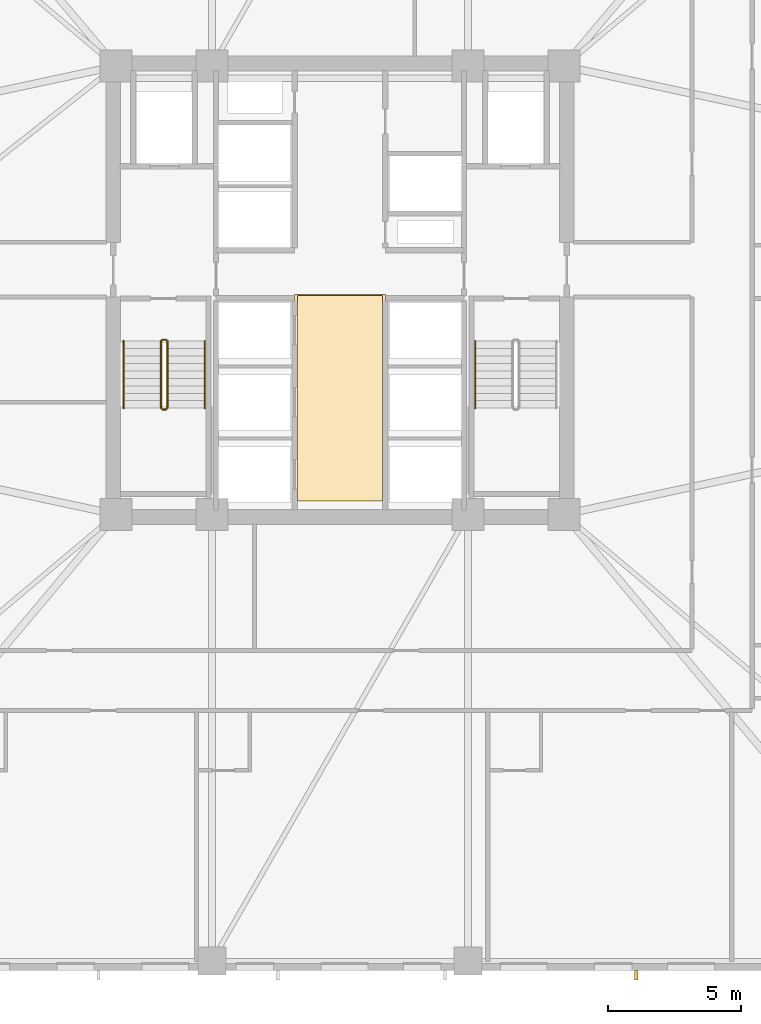
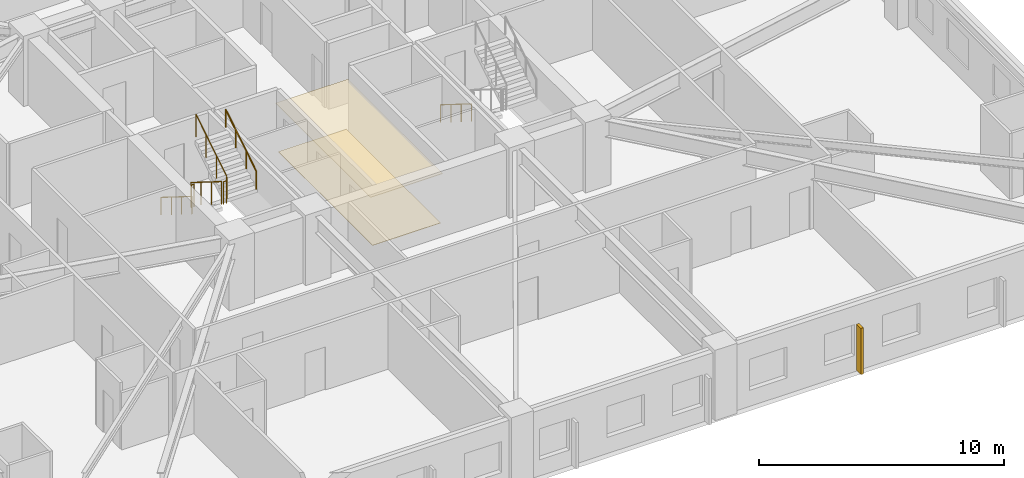
# One storey, part 9 of 12: 7 railings, 2 coverings, 1 shading device.
"""IFC4 building model written with IfcOpenShell, lengths in metres."""

from ifc_helpers import new_model, si_unit, direction, frame, origin, origin_2d, place, context, subcontext, project, spatial, polyline, rectangle, circle, outline, extrude, material, layer, layer_set, type_object, element, save


model = new_model("IFC4")

# Units and contexts
model_context = context("Model", 3, precision=1e-05, world=origin(), true_north=direction((0.0, 1.0)))
body_context = subcontext(model_context, "Body", "Model", "MODEL_VIEW")
ifc_project = project(units=[si_unit("LENGTHUNIT", "METRE"), si_unit("AREAUNIT", "SQUARE_METRE"), si_unit("VOLUMEUNIT", "CUBIC_METRE"), si_unit("PLANEANGLEUNIT", "RADIAN"), si_unit("MASSUNIT", "GRAM", prefix="KILO")], contexts=[model_context])

# Site, building, storey
site_placement = place(None, origin())
site = spatial("IfcSite", under=ifc_project, at=site_placement, CompositionType="ELEMENT")
building_placement = place(site_placement, origin())
building = spatial("IfcBuilding", under=site, at=building_placement, Name="Cairnveth Concourse Tower", CompositionType="ELEMENT")
storey_placement = place(building_placement, frame((0.0, 0.0, 83.0)))
storey = spatial("IfcBuildingStorey", under=building, at=storey_placement, Name="L22", CompositionType="ELEMENT", Elevation=83.0)

# Covering
ifc_material_1 = material(Name="Acoustic Mineral Fibre Ceiling", Category="gypsum")
ifc_layer_1 = layer(ifc_material_1, 0.02490234375)
ifc_layer_set_1 = layer_set([ifc_layer_1], Name="Acoustic Mineral Fibre Ceiling")
covering_type_1 = type_object("IfcCoveringType", Name="ACOUSTIC MINERAL FIBRE CEILING 25", PredefinedType="CEILING", material=ifc_layer_set_1)
covering_1_placement = place(storey_placement, frame((0.0, 0.0, 2.424072265625)))
element("IfcCovering", 1, at=covering_1_placement, inside=storey, type_object=covering_type_1, Name="Lift Lobby Acoustic Ceiling L22", PredefinedType="CEILING", context=body_context, shape_type="SweptSolid", body=[
    extrude(outline(polyline([(50.300048828125, 31.10009765625), (53.699951171875, 31.10009765625), (53.699951171875, 38.85009765625), (50.300048828125, 38.85009765625), (50.300048828125, 31.10009765625)])), origin(), (0.0, 0.0, 1.0), 0.02490234375),
])

# Shading device
ifc_material_2 = material(Name="Architectural Bronze Anodised Aluminium 6063-T6", Category="aluminium")
shading_device_type = type_object("IfcShadingDeviceType", Name="GOTHIC BRONZE VERTICAL LANCET FIN", PredefinedType="USERDEFINED", material=ifc_material_2)
shading_device_placement = place(storey_placement, frame((63.109619140625, 13.324951171875, 0.02978515625), z_axis=(0.0, 0.0, 1.0), x_axis=(1.0, 0.0, 0.0)))
element("IfcShadingDevice", 2, at=shading_device_placement, inside=storey, type_object=shading_device_type, Name="Gothic Bronze Vertical Fin L22-3-3", ObjectType="VERTICAL FIN", PredefinedType="USERDEFINED", context=body_context, shape_type="SweptSolid", body=[
    extrude(rectangle(XDim=0.1201171875, YDim=0.360107421875, at=origin_2d()), origin(), (0.0, 0.0, 1.0), 2.303955078125),
])

# Railings
ifc_material_3 = material(Name="Steel Grade 350", Category="steel")
railing_type_1 = type_object("IfcRailingType", Name="STAIR GUARDRAIL 1150", PredefinedType="GUARDRAIL", material=ifc_material_3)
railing_1_placement = place(storey_placement, frame((45.2900390625, 37.10009765625, 0.175048828125)))
element("IfcRailing", 3, at=railing_1_placement, inside=storey, type_object=railing_type_1, Name="L22 ST-1 stair guard 1", PredefinedType="GUARDRAIL", context=body_context, shape_type="SweptSolid", body=[
    extrude(circle(Radius=0.02392578125, at=origin_2d()), frame((0.0, 0.0, 1.1259765625), z_axis=(0.0, -0.848007534815, 0.529984170421), x_axis=(1.0, 0.0, 0.0)), (0.0, 0.0, 1.0), 2.9716796875),
    extrude(circle(Radius=0.02099609375, at=origin_2d()), origin(), (0.0, 0.0, 1.0), 1.101806640625),
    extrude(circle(Radius=0.02099609375, at=origin_2d()), frame((0.0, -0.840087890625, 0.52490234375)), (0.0, 0.0, 1.0), 1.101806640625),
    extrude(circle(Radius=0.02099609375, at=origin_2d()), frame((0.0, -1.679931640625, 1.050048828125)), (0.0, 0.0, 1.0), 1.101806640625),
    extrude(circle(Radius=0.02099609375, at=origin_2d()), frame((0.0, -2.52001953125, 1.574951171875)), (0.0, 0.0, 1.0), 1.101806640625),
])
railing_2_placement = place(storey_placement, frame((45.340087890625, 34.530029296875, 1.75)))
element("IfcRailing", 4, at=railing_2_placement, inside=storey, type_object=railing_type_1, Name="L22 ST-1 stair guard 2", PredefinedType="GUARDRAIL", context=body_context, shape_type="SweptSolid", body=[
    extrude(circle(Radius=0.02392578125, at=origin_2d()), frame((0.0, 0.0, 1.1259765625), z_axis=(1.0, 0.0, 0.0), x_axis=(0.0, 1.0, 0.0)), (0.0, 0.0, 1.0), 0.139892578125),
    extrude(circle(Radius=0.02099609375, at=origin_2d()), origin(), (0.0, 0.0, 1.0), 1.101806640625),
    extrude(circle(Radius=0.02099609375, at=origin_2d()), frame((0.139892578125, 0.0, 0.0)), (0.0, 0.0, 1.0), 1.101806640625),
])
railing_3_placement = place(storey_placement, frame((45.530029296875, 34.580078125, 1.925048828125)))
element("IfcRailing", 5, at=railing_3_placement, inside=storey, type_object=railing_type_1, Name="L22 ST-1 stair guard 3", PredefinedType="GUARDRAIL", context=body_context, shape_type="SweptSolid", body=[
    extrude(circle(Radius=0.02392578125, at=origin_2d()), frame((0.0, 0.0, 1.1259765625), z_axis=(0.0, 0.848007534815, 0.529984170421), x_axis=(-1.0, 0.0, 0.0)), (0.0, 0.0, 1.0), 2.9716796875),
    extrude(circle(Radius=0.02099609375, at=origin_2d()), origin(), (0.0, 0.0, 1.0), 1.101806640625),
    extrude(circle(Radius=0.02099609375, at=origin_2d()), frame((0.0, 0.840087890625, 0.52490234375)), (0.0, 0.0, 1.0), 1.101806640625),
    extrude(circle(Radius=0.02099609375, at=origin_2d()), frame((0.0, 1.679931640625, 1.050048828125)), (0.0, 0.0, 1.0), 1.101806640625),
    extrude(circle(Radius=0.02099609375, at=origin_2d()), frame((0.0, 2.52001953125, 1.574951171875)), (0.0, 0.0, 1.0), 1.101806640625),
])
railing_4_placement = place(storey_placement, frame((45.340087890625, 37.14990234375, 0.0)))
element("IfcRailing", 6, at=railing_4_placement, inside=storey, type_object=railing_type_1, Name="L22 ST-1 stair guard 4", PredefinedType="GUARDRAIL", context=body_context, shape_type="SweptSolid", body=[
    extrude(circle(Radius=0.02392578125, at=origin_2d()), frame((0.0, 0.0, 1.1259765625), z_axis=(1.0, 0.0, 0.0), x_axis=(0.0, 1.0, 0.0)), (0.0, 0.0, 1.0), 0.139892578125),
    extrude(circle(Radius=0.02099609375, at=origin_2d()), origin(), (0.0, 0.0, 1.0), 1.101806640625),
    extrude(circle(Radius=0.02099609375, at=origin_2d()), frame((0.139892578125, 0.0, 0.0)), (0.0, 0.0, 1.0), 1.101806640625),
])
railing_type_2 = type_object("IfcRailingType", Name="STAIR WALL HANDRAIL 900", PredefinedType="HANDRAIL", material=ifc_material_3)
railing_5_placement = place(storey_placement, frame((43.889892578125, 37.10009765625, 0.175048828125)))
element("IfcRailing", 7, at=railing_5_placement, inside=storey, type_object=railing_type_2, Name="L22 ST-1 stair handrail 1", PredefinedType="HANDRAIL", context=body_context, shape_type="SweptSolid", body=[
    extrude(circle(Radius=0.02392578125, at=origin_2d()), frame((0.0, 0.0, 0.8759765625), z_axis=(0.0, -0.848007534815, 0.529984170421), x_axis=(1.0, 0.0, 0.0)), (0.0, 0.0, 1.0), 2.9716796875),
    extrude(circle(Radius=0.02099609375, at=origin_2d()), origin(), (0.0, 0.0, 1.0), 0.851806640625),
    extrude(circle(Radius=0.02099609375, at=origin_2d()), frame((0.0, -0.840087890625, 0.52490234375)), (0.0, 0.0, 1.0), 0.851806640625),
    extrude(circle(Radius=0.02099609375, at=origin_2d()), frame((0.0, -1.679931640625, 1.050048828125)), (0.0, 0.0, 1.0), 0.851806640625),
    extrude(circle(Radius=0.02099609375, at=origin_2d()), frame((0.0, -2.52001953125, 1.574951171875)), (0.0, 0.0, 1.0), 0.851806640625),
])
railing_6_placement = place(storey_placement, frame((46.929931640625, 34.580078125, 1.925048828125)))
element("IfcRailing", 8, at=railing_6_placement, inside=storey, type_object=railing_type_2, Name="L22 ST-1 stair handrail 2", PredefinedType="HANDRAIL", context=body_context, shape_type="SweptSolid", body=[
    extrude(circle(Radius=0.02392578125, at=origin_2d()), frame((0.0, 0.0, 0.8759765625), z_axis=(0.0, 0.848007534815, 0.529984170421), x_axis=(-1.0, 0.0, 0.0)), (0.0, 0.0, 1.0), 2.9716796875),
    extrude(circle(Radius=0.02099609375, at=origin_2d()), origin(), (0.0, 0.0, 1.0), 0.851806640625),
    extrude(circle(Radius=0.02099609375, at=origin_2d()), frame((0.0, 0.840087890625, 0.52490234375)), (0.0, 0.0, 1.0), 0.851806640625),
    extrude(circle(Radius=0.02099609375, at=origin_2d()), frame((0.0, 1.679931640625, 1.050048828125)), (0.0, 0.0, 1.0), 0.851806640625),
    extrude(circle(Radius=0.02099609375, at=origin_2d()), frame((0.0, 2.52001953125, 1.574951171875)), (0.0, 0.0, 1.0), 0.851806640625),
])
railing_7_placement = place(storey_placement, frame((57.070068359375, 37.10009765625, 0.175048828125)))
element("IfcRailing", 9, at=railing_7_placement, inside=storey, type_object=railing_type_2, Name="L22 ST-2 stair handrail 1", PredefinedType="HANDRAIL", context=body_context, shape_type="SweptSolid", body=[
    extrude(circle(Radius=0.02392578125, at=origin_2d()), frame((0.0, 0.0, 0.8759765625), z_axis=(0.0, -0.848007534815, 0.529984170421), x_axis=(1.0, 0.0, 0.0)), (0.0, 0.0, 1.0), 2.9716796875),
    extrude(circle(Radius=0.02099609375, at=origin_2d()), origin(), (0.0, 0.0, 1.0), 0.851806640625),
    extrude(circle(Radius=0.02099609375, at=origin_2d()), frame((0.0, -0.840087890625, 0.52490234375)), (0.0, 0.0, 1.0), 0.851806640625),
    extrude(circle(Radius=0.02099609375, at=origin_2d()), frame((0.0, -1.679931640625, 1.050048828125)), (0.0, 0.0, 1.0), 0.851806640625),
    extrude(circle(Radius=0.02099609375, at=origin_2d()), frame((0.0, -2.52001953125, 1.574951171875)), (0.0, 0.0, 1.0), 0.851806640625),
])

# Covering
ifc_material_4 = material(Name="Vitrified Stoneware Tile Flooring", Category="masonry")
ifc_layer_2 = layer(ifc_material_4, 0.02001953125)
ifc_layer_set_2 = layer_set([ifc_layer_2], Name="Vitrified Stoneware Tile Flooring")
covering_type_2 = type_object("IfcCoveringType", Name="VITRIFIED STONEWARE LOBBY FLOORING 20", PredefinedType="FLOORING", material=ifc_layer_set_2)
covering_2_placement = place(storey_placement, origin())
element("IfcCovering", 10, at=covering_2_placement, inside=storey, type_object=covering_type_2, Name="Lift Lobby Stoneware Flooring L22", PredefinedType="FLOORING", context=body_context, shape_type="SweptSolid", body=[
    extrude(outline(polyline([(50.39990234375, 31.10009765625), (53.60009765625, 31.10009765625), (53.60009765625, 38.800048828125), (50.39990234375, 38.800048828125), (50.39990234375, 31.10009765625)])), origin(), (0.0, 0.0, 1.0), 0.02001953125),
])

save(model, "model.ifc")
